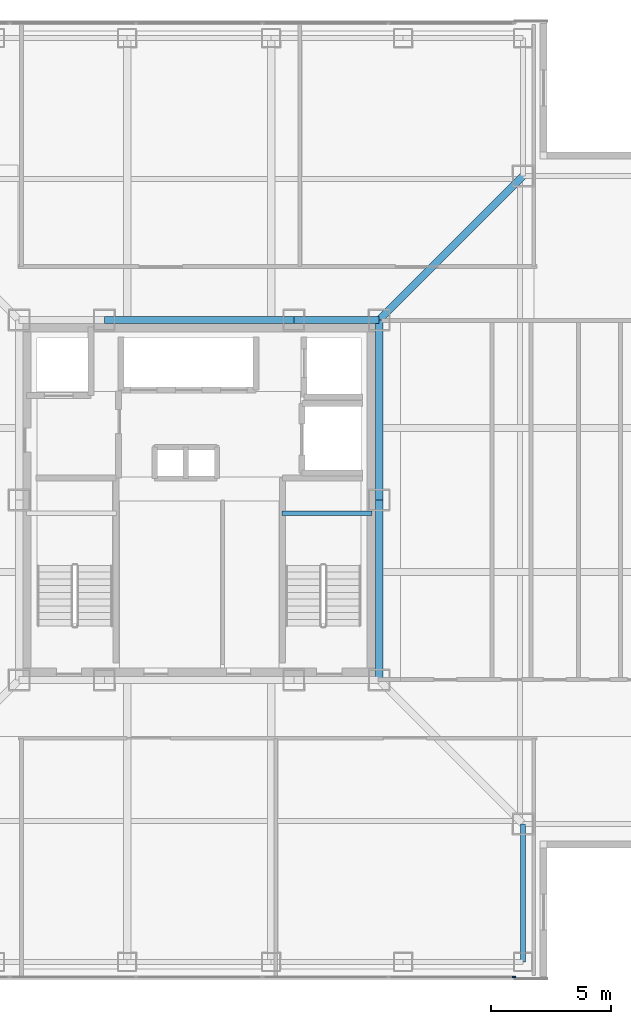
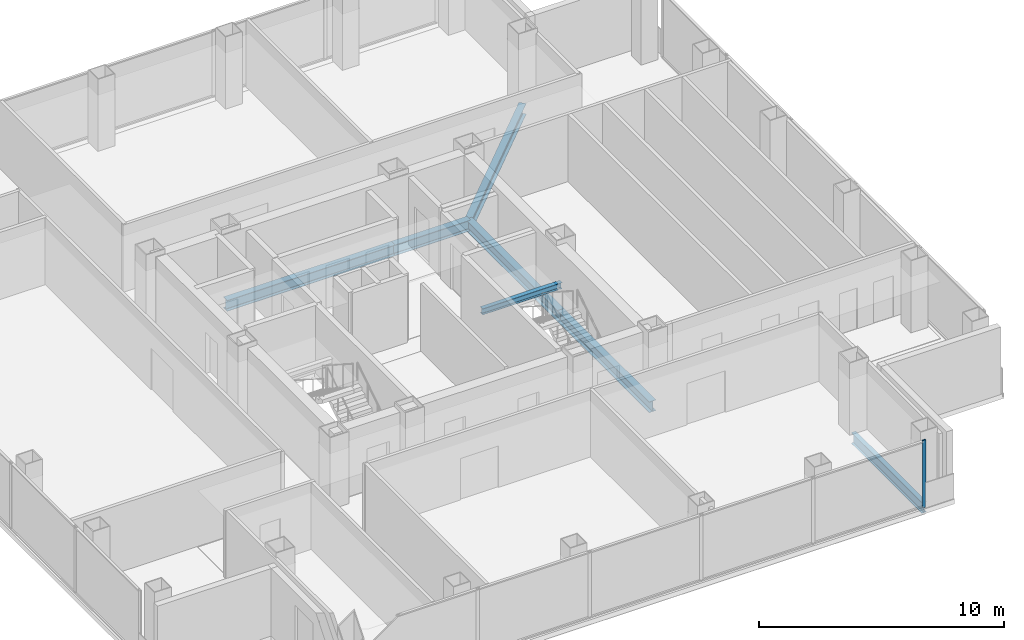
# One storey, part 5 of 18: 7 beams, 1 member, 1 element without a shape of its own.
"""IFC4 building model written with IfcOpenShell, lengths in metres."""

from ifc_helpers import new_model, si_unit, direction, frame, origin, origin_2d, place, context, subcontext, project, spatial, rectangle, i_section, extrude, material, layer, layer_set, material_profile, profile_set, type_object, element, aggregate, save


model = new_model("IFC4")

# Units and contexts
model_context = context("Model", 3, precision=1e-05, world=origin(), true_north=direction((0.0, 1.0)))
body_context = subcontext(model_context, "Body", "Model", "MODEL_VIEW")
ifc_project = project(units=[si_unit("LENGTHUNIT", "METRE"), si_unit("AREAUNIT", "SQUARE_METRE"), si_unit("VOLUMEUNIT", "CUBIC_METRE"), si_unit("PLANEANGLEUNIT", "RADIAN"), si_unit("MASSUNIT", "GRAM", prefix="KILO")], contexts=[model_context])

# Site, building, storey
site_placement = place(None, origin())
site = spatial("IfcSite", under=ifc_project, at=site_placement, CompositionType="ELEMENT")
building_placement = place(site_placement, origin())
building = spatial("IfcBuilding", under=site, at=building_placement, Name="Trevonay Congress Spire", CompositionType="ELEMENT")
storey_placement = place(building_placement, frame((0.0, 0.0, 198.60009765625)))
storey = spatial("IfcBuildingStorey", under=building, at=storey_placement, Name="L51", CompositionType="ELEMENT", Elevation=198.60009765625)

# Beams
ifc_material_1 = material(Name="Steel ASTM A572 Grade 50", Category="steel")
ifc_material_profile_1 = material_profile(ifc_material_1, i_section(OverallWidth=0.31201171875, OverallDepth=0.54296875, WebThickness=0.0126953125, FlangeThickness=0.020263671875, FilletRadius=0.014892578125, at=origin_2d()), Name="W530x150")
ifc_profile_set_1 = profile_set([ifc_material_profile_1], Name="Steel ASTM A572 Grade 50")
beam_type_1 = type_object("IfcBeamType", Name="BM-GIRD-W530X150", PredefinedType="BEAM", material=ifc_profile_set_1)
beam_1_placement = place(storey_placement, frame((-3.949951171875, 7.5, -0.51171875), z_axis=(1.0, 0.0, 0.0), x_axis=(0.0, 1.0, 0.0)))
element("IfcBeam", 1, at=beam_1_placement, inside=storey, type_object=beam_type_1, Name="L51 structural beam BM-L51-CR-N2", PredefinedType="BEAM", context=body_context, shape_type="SweptSolid", body=[
    extrude(i_section(OverallWidth=0.31201171875, OverallDepth=0.54296875, WebThickness=0.0126953125, FlangeThickness=0.020263671875, FilletRadius=0.014892578125, at=origin_2d()), origin(), (0.0, 0.0, 1.0), 7.89990234375),
])
beam_2_placement = place(storey_placement, frame((3.949951171875, 7.5, -0.51171875), z_axis=(1.0, 0.0, 0.0), x_axis=(0.0, 1.0, 0.0)))
element("IfcBeam", 2, at=beam_2_placement, inside=storey, type_object=beam_type_1, Name="L51 structural beam BM-L51-CR-N3", PredefinedType="BEAM", context=body_context, shape_type="SweptSolid", body=[
    extrude(i_section(OverallWidth=0.31201171875, OverallDepth=0.54296875, WebThickness=0.0126953125, FlangeThickness=0.020263671875, FilletRadius=0.014892578125, at=origin_2d()), origin(), (0.0, 0.0, 1.0), 3.550048828125),
])
for number, where, z_axis, x_axis, name in (
    (3, (7.5, -7.5, -0.51171875), (0.0, 1.0, 0.0), (-1.0, 0.0, 0.0), "L51 structural beam BM-L51-CR-E1"),
    (4, (7.5, 0.0, -0.51171875), (0.0, 1.0, 0.0), (-1.0, 0.0, 0.0), "L51 structural beam BM-L51-CR-E2"),
):
    element("IfcBeam", number, at=place(storey_placement, frame(where, z_axis=z_axis, x_axis=x_axis)), inside=storey, type_object=beam_type_1, Name=name, PredefinedType="BEAM", context=body_context, shape_type="SweptSolid", body=[
        extrude(i_section(OverallWidth=0.31201171875, OverallDepth=0.54296875, WebThickness=0.0126953125, FlangeThickness=0.020263671875, FilletRadius=0.014892578125, at=origin_2d()), origin(), (0.0, 0.0, 1.0), 7.5),
    ])
beam_3_placement = place(storey_placement, frame((7.5, 7.5, -0.51171875), z_axis=(0.707106781187, 0.707106781187, 0.0), x_axis=(-0.707106781187, 0.707106781187, 0.0)))
element("IfcBeam", 5, at=beam_3_placement, inside=storey, type_object=beam_type_1, Name="L51 structural beam BM-L51-CDNE", PredefinedType="BEAM", context=body_context, shape_type="SweptSolid", body=[
    extrude(i_section(OverallWidth=0.31201171875, OverallDepth=0.54296875, WebThickness=0.0126953125, FlangeThickness=0.020263671875, FilletRadius=0.014892578125, at=origin_2d()), origin(), (0.0, 0.0, 1.0), 8.4853515625),
])
ifc_material_profile_2 = material_profile(ifc_material_1, i_section(OverallWidth=0.2119140625, OverallDepth=0.5439453125, WebThickness=0.01318359375, FlangeThickness=0.021240234375, FilletRadius=0.014892578125, at=origin_2d()), Name="W530x123")
ifc_profile_set_2 = profile_set([ifc_material_profile_2], Name="Steel ASTM A572 Grade 50")
beam_type_2 = type_object("IfcBeamType", Name="BM-RING-W530X123", PredefinedType="BEAM", material=ifc_profile_set_2)
beam_4_placement = place(storey_placement, frame((13.5, -19.25, -0.51220703125), z_axis=(0.0, 1.0, 0.0), x_axis=(-1.0, 0.0, 0.0)))
element("IfcBeam", 6, at=beam_4_placement, inside=storey, type_object=beam_type_2, Name="L51 structural beam BM-L51-N1SE", PredefinedType="BEAM", context=body_context, shape_type="SweptSolid", body=[
    extrude(i_section(OverallWidth=0.2119140625, OverallDepth=0.5439453125, WebThickness=0.01318359375, FlangeThickness=0.021240234375, FilletRadius=0.014892578125, at=origin_2d()), origin(), (0.0, 0.0, 1.0), 5.75),
])

# Curtain wall, member
ifc_material_2 = material(Name="Pale Anodised Aluminium EN AW-6063-T6", Category="aluminium")
ifc_layer = layer(ifc_material_2, 0.169921875, Name="Pale Anodised Aluminium EN AW-6063-T6")
ifc_layer_set = layer_set([ifc_layer], Name="Pale Anodised Aluminium EN AW-6063-T6")
curtain_wall_type = type_object("IfcCurtainWallType", Name="CW-SYS04-CORP-PALE-METAL", PredefinedType="NOTDEFINED", material=ifc_layer_set)
curtain_wall_placement = place(storey_placement, origin())
curtain_wall = element("IfcCurtainWall", 7, at=curtain_wall_placement, inside=storey, type_object=curtain_wall_type, Name="L51 S unitised curtain wall", PredefinedType="NOTDEFINED")
ifc_material_profile_3 = material_profile(ifc_material_2, rectangle(XDim=0.06005859375, YDim=0.159912109375, at=origin_2d()), Name="CW-MULLION-160-ALUMINIUM")
ifc_profile_set_3 = profile_set([ifc_material_profile_3], Name="Pale Anodised Aluminium EN AW-6063-T6")
member_type = type_object("IfcMemberType", Name="CW-MULLION-160-ALUMINIUM", PredefinedType="MULLION", material=ifc_profile_set_3)
member_placement = place(storey_placement, frame((13.1201171875, -19.8798828125, 0.0), z_axis=(0.0, 0.0, 1.0), x_axis=(0.0, 1.0, 0.0)))
member = element("IfcMember", 8, at=member_placement, type_object=member_type, Name="CW04 mullion 6", PredefinedType="MULLION", context=body_context, shape_type="SweptSolid", body=[
    extrude(rectangle(XDim=0.06005859375, YDim=0.159912109375, at=origin_2d()), origin(), (0.0, 0.0, 1.0), 3.35986328125),
])
aggregate(curtain_wall, [member])

# Beam
ifc_material_profile_4 = material_profile(ifc_material_1, i_section(OverallWidth=0.2041015625, OverallDepth=0.305908203125, WebThickness=0.008544921875, FlangeThickness=0.0146484375, FilletRadius=0.010986328125, at=origin_2d()), Name="W310x67")
ifc_profile_set_4 = profile_set([ifc_material_profile_4], Name="Steel ASTM A572 Grade 50")
beam_type_3 = type_object("IfcBeamType", Name="LN-CORE-W310X67", PredefinedType="LINTEL", material=ifc_profile_set_4)
beam_5_placement = place(storey_placement, frame((3.449951171875, -0.550048828125, 1.447021484375), z_axis=(1.0, 0.0, 0.0), x_axis=(0.0, 1.0, 0.0)))
element("IfcBeam", 9, at=beam_5_placement, inside=storey, type_object=beam_type_3, Name="L51 structural beam BM-L51-HL-ST2", PredefinedType="LINTEL", context=body_context, shape_type="SweptSolid", body=[
    extrude(i_section(OverallWidth=0.2041015625, OverallDepth=0.305908203125, WebThickness=0.008544921875, FlangeThickness=0.0146484375, FilletRadius=0.010986328125, at=origin_2d()), origin(), (0.0, 0.0, 1.0), 3.75),
])

save(model, "model.ifc")
